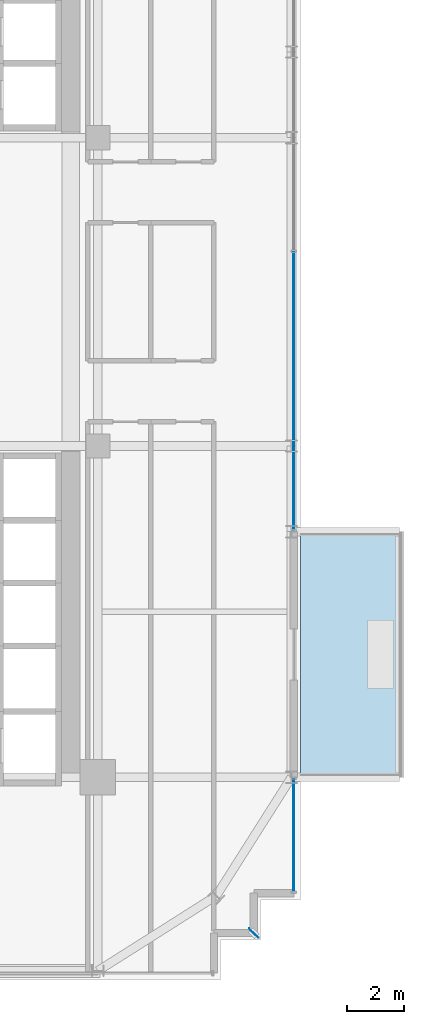
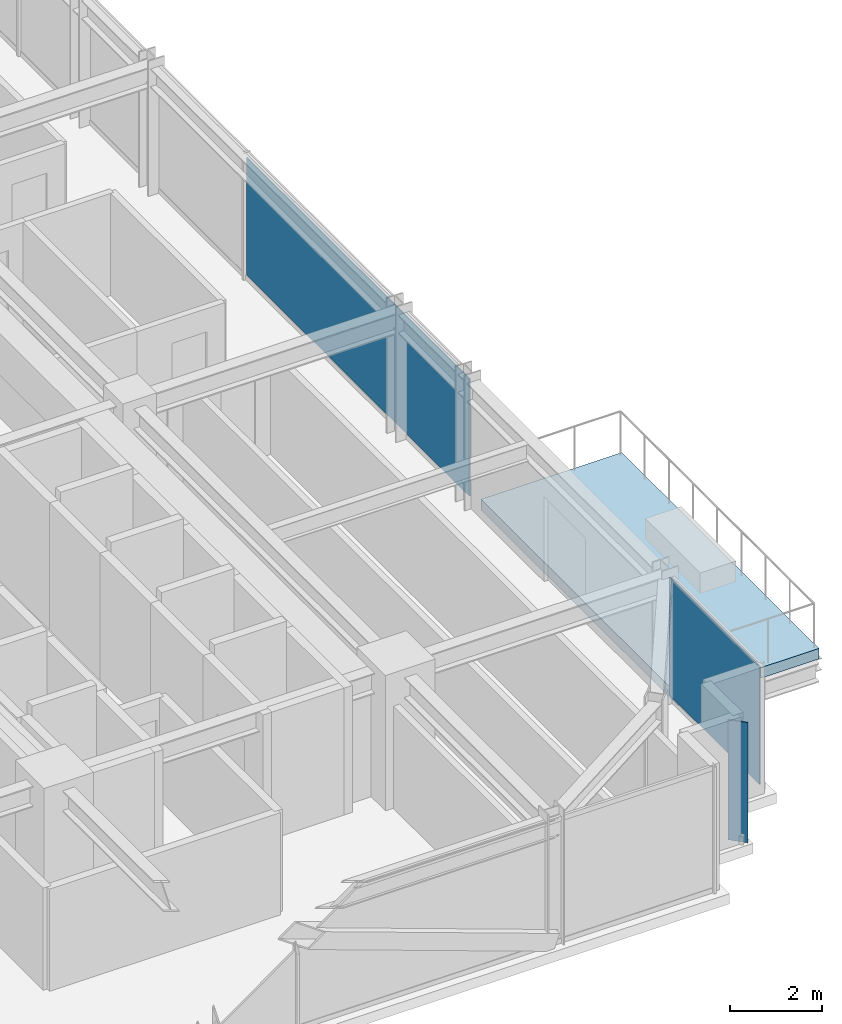
# One storey, part 28 of 41: 3 plates, 1 slab, 2 elements without a shape of their own.
"""IFC4 building model written with IfcOpenShell, lengths in metres."""

from ifc_helpers import new_model, si_unit, direction, frame, origin, origin_2d, place, context, subcontext, project, spatial, polyline, rectangle, outline, extrude, source, transform, mapped, material, layer, layer_set, type_object, element, aggregate, save


model = new_model("IFC4")

# Units and contexts
model_context = context("Model", 3, precision=1e-05, world=origin(), true_north=direction((0.0, 1.0)))
body_context = subcontext(model_context, "Body", "Model", "MODEL_VIEW")
ifc_project = project(units=[si_unit("LENGTHUNIT", "METRE"), si_unit("AREAUNIT", "SQUARE_METRE"), si_unit("VOLUMEUNIT", "CUBIC_METRE"), si_unit("PLANEANGLEUNIT", "RADIAN"), si_unit("MASSUNIT", "GRAM", prefix="KILO")], contexts=[model_context])

# Site, building, storey
site_placement = place(None, origin())
site = spatial("IfcSite", under=ifc_project, at=site_placement, CompositionType="ELEMENT")
building_placement = place(site_placement, origin())
building = spatial("IfcBuilding", under=site, at=building_placement, Name="Nahalor Promenade Grand Hotel", CompositionType="ELEMENT")
storey_placement = place(building_placement, frame((0.0, 0.0, 113.85009765625)))
storey = spatial("IfcBuildingStorey", under=building, at=storey_placement, Name="L28", CompositionType="ELEMENT", Elevation=113.85009765625)

# Slab
ifc_material_1 = material(Name="Concrete B-50 (C40/50)", Category="concrete")
ifc_layer_1 = layer(ifc_material_1, 0.280029296875)
ifc_layer_set_1 = layer_set([ifc_layer_1], Name="Concrete B-50 (C40/50)")
slab_type = type_object("IfcSlabType", Name="Slab-Balcony-280", PredefinedType="FLOOR", material=ifc_layer_set_1)
slab_placement = place(storey_placement, frame((0.0, 0.0, -0.280029296875)))
element("IfcSlab", 1, at=slab_placement, inside=storey, type_object=slab_type, Name="L28 Cantilevered Planted Balcony 2", PredefinedType="FLOOR", context=body_context, shape_type="SweptSolid", body=[
    extrude(outline(polyline([(24.10009765625, -17.0), (27.64990234375, -17.0), (27.64990234375, -8.39990234375), (24.10009765625, -8.39990234375), (24.10009765625, -17.0)])), origin(), (0.0, 0.0, 1.0), 0.280029296875),
])

# Plate
ifc_material_2 = material(Name="Anodised Bronze Aluminium EN AW-6063 T6", Category="aluminium")
ifc_layer_2 = layer(ifc_material_2, 0.02001953125)
ifc_layer_set_2 = layer_set([ifc_layer_2], Name="Anodised Bronze Aluminium EN AW-6063 T6")
plate_type_1 = type_object("IfcPlateType", Name="Plate-CornerFin-20", PredefinedType="SHEET", material=ifc_layer_set_2)
shared_shape_1 = source(origin(), body_context, "Body", "SweptSolid", [
    extrude(rectangle(XDim=0.449951171875, YDim=0.02001953125, at=origin_2d()), origin(), (0.0, 0.0, 1.0), 3.199951171875),
])
plate_1_placement = place(storey_placement, frame((22.4599609375, -22.4599609375, 0.0), z_axis=(0.0, 0.0, 1.0), x_axis=(-0.707106781187, 0.707106781187, 0.0)))
element("IfcPlate", 2, at=plate_1_placement, inside=storey, type_object=plate_type_1, Name="FIN-L28-SE", PredefinedType="SHEET", context=body_context, shape_type="MappedRepresentation", body=[
    mapped(shared_shape_1, transform((0.0, 0.0, 0.0), scale=1.0)),
])

# Curtain wall, plate
curtain_wall_type = type_object("IfcCurtainWallType", Name="CW2 Typical Hotel Flush Bronze Unitised Curtain Wall", PredefinedType="USERDEFINED", material=ifc_material_2)
curtain_wall_1_placement = place(storey_placement, origin())
curtain_wall_1 = element("IfcCurtainWall", 3, at=curtain_wall_1_placement, inside=storey, type_object=curtain_wall_type, Name="L28 Curtain Wall CW-L28-E-1", ObjectType="UNITISED_CURTAIN_WALL", PredefinedType="USERDEFINED")
ifc_material_3 = material(Name="Low-E Laminated Solar Glass", Category="glass")
ifc_layer_3 = layer(ifc_material_3, 0.028076171875)
ifc_layer_set_3 = layer_set([ifc_layer_3], Name="Low-E Laminated Solar Glass")
plate_type_2 = type_object("IfcPlateType", Name="CWP2 Bronze Low-E Vision IGU 28mm", PredefinedType="CURTAIN_PANEL", material=ifc_layer_set_3)
shared_shape_2 = source(origin(), body_context, "Body", "SweptSolid", [
    extrude(rectangle(XDim=3.929931640625, YDim=0.028076171875, at=origin_2d()), origin(), (0.0, 0.0, 1.0), 3.1201171875),
])
plate_2_placement = place(storey_placement, frame((23.860107421875, -19.030029296875, 0.1298828125), z_axis=(0.0, 0.0, 1.0), x_axis=(0.0, 1.0, 0.0)))
plate_2 = element("IfcPlate", 4, at=plate_2_placement, type_object=plate_type_2, Name="CW-L28-E-1 Glazing Panel 0-0", PredefinedType="CURTAIN_PANEL", context=body_context, shape_type="MappedRepresentation", body=[
    mapped(shared_shape_2, transform((0.0, 0.0, 0.0), scale=1.0)),
])
aggregate(curtain_wall_1, [plate_2])

curtain_wall_2_placement = place(storey_placement, origin())
curtain_wall_2 = element("IfcCurtainWall", 5, at=curtain_wall_2_placement, inside=storey, type_object=curtain_wall_type, Name="L28 Curtain Wall CW-L28-E-3", ObjectType="UNITISED_CURTAIN_WALL", PredefinedType="USERDEFINED")
shared_shape_3 = source(origin(), body_context, "Body", "SweptSolid", [
    extrude(rectangle(XDim=9.722412109375, YDim=0.028076171875, at=origin_2d()), origin(), (0.0, 0.0, 1.0), 3.1201171875),
])
plate_3_placement = place(storey_placement, frame((23.860107421875, -3.4736328125, 0.1298828125), z_axis=(0.0, 0.0, 1.0), x_axis=(0.0, 1.0, 0.0)))
plate_3 = element("IfcPlate", 6, at=plate_3_placement, type_object=plate_type_2, Name="CW-L28-E-3 Glazing Panel 0-0", PredefinedType="CURTAIN_PANEL", context=body_context, shape_type="MappedRepresentation", body=[
    mapped(shared_shape_3, transform((0.0, 0.0, 0.0), scale=1.0)),
])
aggregate(curtain_wall_2, [plate_3])

save(model, "model.ifc")
